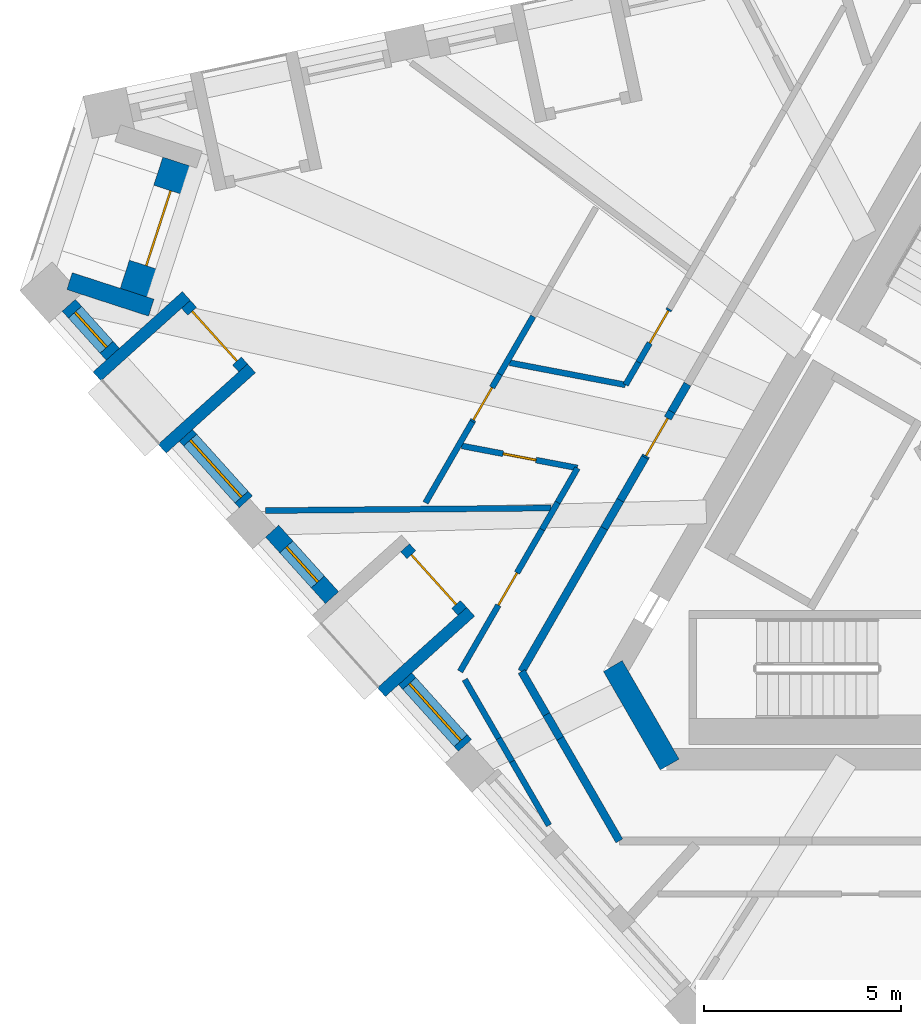
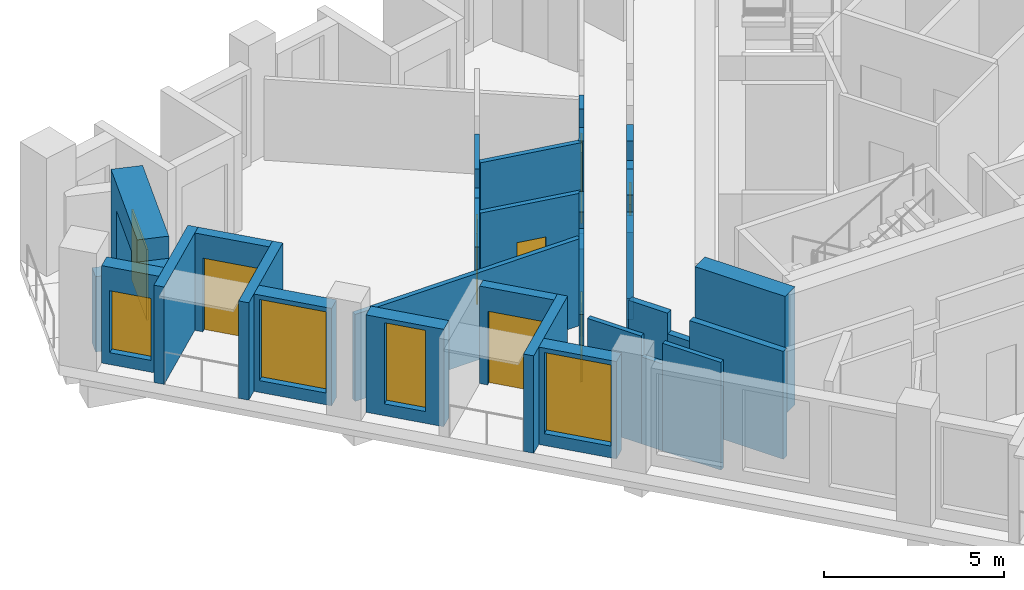
# One storey, part 3 of 13: 34 walls, 8 doors, 4 windows, 12 openings.
"""IFC4 building model written with IfcOpenShell, lengths in metres."""

from ifc_helpers import new_model, si_unit, direction, frame, frame_2d, origin, place, context, subcontext, project, spatial, polyline, rectangle, outline, extrude, material, layer, layer_set, type_object, element, fill, save


model = new_model("IFC4")

# Units and contexts
model_context = context("Model", 3, precision=1e-05, world=origin(), true_north=direction((0.0, 1.0)))
body_context = subcontext(model_context, "Body", "Model", "MODEL_VIEW")
ifc_project = project(units=[si_unit("LENGTHUNIT", "METRE"), si_unit("AREAUNIT", "SQUARE_METRE"), si_unit("VOLUMEUNIT", "CUBIC_METRE"), si_unit("PLANEANGLEUNIT", "RADIAN"), si_unit("MASSUNIT", "GRAM", prefix="KILO")], contexts=[model_context])

# Site, building, storey
site_placement = place(None, origin())
site = spatial("IfcSite", under=ifc_project, at=site_placement, CompositionType="ELEMENT")
building_placement = place(site_placement, origin())
building = spatial("IfcBuilding", under=site, at=building_placement, Name="Tramontana Tower", CompositionType="ELEMENT")
storey_placement = place(building_placement, frame((0.0, 0.0, 324.39990234375)))
storey = spatial("IfcBuildingStorey", under=building, at=storey_placement, Name="L74", CompositionType="ELEMENT", Elevation=324.39990234375)

# Walls
ifc_material_1 = material(Name="Concrete 70 MPa", Category="concrete")
ifc_layer_1 = layer(ifc_material_1, 0.550048828125)
ifc_layer_set_1 = layer_set([ifc_layer_1], Name="Core wall 550 70 MPa")
wall_type_1 = type_object("IfcWallType", Name="Core wall 550 70 MPa", PredefinedType="SHEAR", material=ifc_layer_set_1)
wall_1_placement = place(storey_placement, frame((-10.009765625, -4.112548828125, 0.0), z_axis=(0.0, 0.0, 1.0), x_axis=(0.499995765644, -0.866027848477, 0.0)))
element("IfcWall", 1, at=wall_1_placement, inside=storey, type_object=wall_type_1, Name="Core wall C2 L74", PredefinedType="SHEAR", context=body_context, shape_type="SweptSolid", body=[
    extrude(rectangle(XDim=2.88671875, YDim=0.550048828125, at=frame_2d((1.443359375, 0.0))), origin(), (0.0, 0.0, 1.0), 4.0),
])
ifc_material_2 = material(Name="Blockwork", Category="masonry")
ifc_layer_2 = layer(ifc_material_2, 0.199951171875)
ifc_layer_set_2 = layer_set([ifc_layer_2], Name="ENTRY WALL 200")
wall_type_2 = type_object("IfcWallType", Name="ENTRY WALL 200", PredefinedType="SOLIDWALL", material=ifc_layer_set_2)
wall_2_placement = place(storey_placement, frame((-9.84375, -8.550048828125, 0.0), z_axis=(0.0, 0.0, 1.0), x_axis=(-0.500003959331, 0.866023117852, 0.0)))
element("IfcWall", 2, at=wall_2_placement, inside=storey, type_object=wall_type_2, Name="Wall v80-ew2-0", PredefinedType="SOLIDWALL", context=body_context, shape_type="SweptSolid", body=[
    extrude(rectangle(XDim=3.0029296875, YDim=0.199951171875, at=frame_2d((1.50146484375, 0.0))), origin(), (0.0, 0.0, 1.0), 3.650146484375),
])
wall_3_placement = place(storey_placement, frame((-11.34521484375, -5.949462890625, 0.0), z_axis=(0.0, 0.0, 1.0), x_axis=(-0.499993523031, 0.866029143232, 0.0)))
element("IfcWall", 3, at=wall_3_placement, inside=storey, type_object=wall_type_2, Name="Wall v80-ew2-1", PredefinedType="SOLIDWALL", context=body_context, shape_type="SweptSolid", body=[
    extrude(rectangle(XDim=0.70166015625, YDim=0.199951171875, at=frame_2d((0.350830078125, 0.0))), origin(), (0.0, 0.0, 1.0), 2.9501953125),
])
wall_4_placement = place(storey_placement, frame((-11.696044921875, -5.341796875, 0.0), z_axis=(0.0, 0.0, 1.0), x_axis=(-0.500013012896, 0.866017890655, 0.0)))
element("IfcWall", 4, at=wall_4_placement, inside=storey, type_object=wall_type_2, Name="Wall v80-ew2-2", PredefinedType="SOLIDWALL", context=body_context, shape_type="SweptSolid", body=[
    extrude(rectangle(XDim=1.2607421875, YDim=0.199951171875, at=frame_2d((0.63037109375, 0.0))), origin(), (0.0, 0.0, 1.0), 3.650146484375),
])
wall_5_placement = place(storey_placement, frame((-12.326416015625, -4.25, 0.0), z_axis=(0.0, 0.0, 1.0), x_axis=(0.499982771656, 0.866035350345, 0.0)))
element("IfcWall", 5, at=wall_5_placement, inside=storey, type_object=wall_type_2, Name="Wall v80-ew3-0", PredefinedType="SOLIDWALL", context=body_context, shape_type="SweptSolid", body=[
    extrude(rectangle(XDim=4.194580078125, YDim=0.199951171875, at=frame_2d((2.09716796875, 0.0))), origin(), (0.0, 0.0, 1.0), 3.650146484375),
])
wall_6_placement = place(storey_placement, frame((-10.229248046875, -0.617431640625, 0.0), z_axis=(0.0, 0.0, 1.0), x_axis=(0.5001686003, 0.865928040471, 0.0)))
element("IfcWall", 6, at=wall_6_placement, inside=storey, type_object=wall_type_2, Name="Wall v80-ew3-1", PredefinedType="SOLIDWALL", context=body_context, shape_type="SweptSolid", body=[
    extrude(rectangle(XDim=0.821044921875, YDim=0.199951171875, at=frame_2d((0.41064453125, 0.0))), origin(), (0.0, 0.0, 1.0), 2.9501953125),
])
wall_7_placement = place(storey_placement, frame((-9.818603515625, 0.093505859375, 0.0), z_axis=(0.0, 0.0, 1.0), x_axis=(0.499969537666, 0.866042990507, 0.0)))
element("IfcWall", 7, at=wall_7_placement, inside=storey, type_object=wall_type_2, Name="Wall v80-ew3-2", PredefinedType="SOLIDWALL", context=body_context, shape_type="SweptSolid", body=[
    extrude(rectangle(XDim=1.25439453125, YDim=0.199951171875, at=frame_2d((0.627197265625, 0.0))), origin(), (0.0, 0.0, 1.0), 3.650146484375),
])

# Wall, opening, door
wall_8_placement = place(storey_placement, frame((-9.19140625, 1.179931640625, 0.0), z_axis=(0.0, 0.0, 1.0), x_axis=(0.500005339912, 0.866022320763, 0.0)))
wall_8 = element("IfcWall", 8, at=wall_8_placement, inside=storey, type_object=wall_type_2, Name="Wall v80-ew3-3", PredefinedType="SOLIDWALL", context=body_context, shape_type="SweptSolid", body=[
    extrude(outline(polyline([(0.0, 0.0), (1.3447265625, 0.0), (1.3447265625, 2.550048828125), (0.40087890625, 2.550048828125), (0.40087890625, 3.650146484375), (0.0, 3.650146484375), (0.0, 0.0)])), frame((0.0, 0.10009765625, 0.0), z_axis=(0.0, -1.0, 0.0), x_axis=(1.0, 0.0, 0.0)), (0.0, 0.0, 1.0), 0.199951171875),
])
opening_1_placement = place(wall_8_placement, frame((0.050048828125, 0.0, 0.0)))
opening_1 = element("IfcOpeningElement", 9, at=opening_1_placement, cuts=wall_8, Name="Opening B8A-19", PredefinedType="OPENING", context=body_context, shape_type="SweptSolid", body=[
    extrude(rectangle(XDim=1.10009765625, YDim=2.39990234375, at=frame_2d((0.550048828125, 1.199951171875))), frame((0.0, 0.10986328125, 0.0), z_axis=(0.0, -1.0, 0.0), x_axis=(1.0, 0.0, 0.0)), (0.0, 0.0, 1.0), 0.219970703125),
])
ifc_material_3 = material(Name="Painted timber", Category="wood")
door_type_1 = type_object("IfcDoorType", Name="DOOR ENTRY 1100", OperationType="SINGLE_SWING_LEFT", PredefinedType="DOOR", material=ifc_material_3)
door_1_placement = place(opening_1_placement, origin())
door_1 = element("IfcDoor", 10, at=door_1_placement, inside=storey, type_object=door_type_1, Name="Door B8A-19", OperationType="SINGLE_SWING_LEFT", OverallHeight=2.39990234375, OverallWidth=1.10009765625, PredefinedType="DOOR", context=body_context, shape_type="SweptSolid", body=[
    extrude(rectangle(XDim=1.10009765625, YDim=2.39990234375, at=frame_2d((0.550048828125, 1.199951171875))), frame((0.0, 0.02490234375, 0.0), z_axis=(0.0, -1.0, 0.0), x_axis=(1.0, 0.0, 0.0)), (0.0, 0.0, 1.0), 0.050048828125),
])
fill(opening_1, door_1)

# Wall
wall_9_placement = place(storey_placement, frame((-8.51904296875, 2.344482421875, 0.0), z_axis=(0.0, 0.0, 1.0), x_axis=(0.499914554297, 0.866074730264, 0.0)))
element("IfcWall", 11, at=wall_9_placement, inside=storey, type_object=wall_type_2, Name="Wall v80-ew3-4", PredefinedType="SOLIDWALL", context=body_context, shape_type="SweptSolid", body=[
    extrude(rectangle(XDim=0.806884765625, YDim=0.199951171875, at=frame_2d((0.4033203125, 0.0))), origin(), (0.0, 0.0, 1.0), 3.650146484375),
])

# Wall, opening, window
ifc_material_4 = material(Name="Precast concrete 60 MPa", Category="concrete")
ifc_layer_3 = layer(ifc_material_4, 0.449951171875)
ifc_layer_set_3 = layer_set([ifc_layer_3], Name="Precast concrete 60 MPa, 450 mm")
wall_type_3 = type_object("IfcWallType", Name="EW1 Stone-faced precast wall 450", PredefinedType="SOLIDWALL", material=ifc_layer_set_3)
wall_10_placement = place(storey_placement, frame((-23.817138671875, 5.043212890625, 0.0), z_axis=(0.0, 0.0, 1.0), x_axis=(0.669182609054, -0.743097998746, 0.0)))
wall_10 = element("IfcWall", 12, at=wall_10_placement, inside=storey, type_object=wall_type_3, Name="External wall L74 face 0 bay 1", PredefinedType="SOLIDWALL", context=body_context, shape_type="SweptSolid", body=[
    extrude(rectangle(XDim=1.67138671875, YDim=0.449951171875, at=frame_2d((0.835693359375, 0.0))), origin(), (0.0, 0.0, 1.0), 3.300048828125),
])
opening_2_placement = place(wall_10_placement, frame((0.235595703125, 0.0, 0.39990234375)))
opening_2 = element("IfcOpeningElement", 13, at=opening_2_placement, cuts=wall_10, Name="Opening N3L", PredefinedType="OPENING", context=body_context, shape_type="SweptSolid", body=[
    extrude(rectangle(XDim=1.199951171875, YDim=2.10009765625, at=frame_2d((0.60009765625, 1.050048828125))), frame((0.0, 0.23486328125, 0.0), z_axis=(0.0, -1.0, 0.0), x_axis=(1.0, 0.0, 0.0)), (0.0, 0.0, 1.0), 0.469970703125),
])
ifc_material_5 = material(Name="Aluminum frame, double glazing unit", Category="aluminium")
window_type_1 = type_object("IfcWindowType", Name="N3L Window 1.2 x 2.1", PartitioningType="SINGLE_PANEL", PredefinedType="WINDOW", material=ifc_material_5)
window_1_placement = place(opening_2_placement, origin())
window_1 = element("IfcWindow", 14, at=window_1_placement, inside=storey, type_object=window_type_1, Name="Window N3L L74 face 0 module 1", OverallHeight=2.10009765625, OverallWidth=1.199951171875, PartitioningType="SINGLE_PANEL", PredefinedType="WINDOW", context=body_context, shape_type="SweptSolid", body=[
    extrude(rectangle(XDim=1.199951171875, YDim=2.10009765625, at=frame_2d((0.60009765625, 1.050048828125))), frame((0.0, 0.030029296875, 0.0), z_axis=(0.0, -1.0, 0.0), x_axis=(1.0, 0.0, 0.0)), (0.0, 0.0, 1.0), 0.06005859375),
])
fill(opening_2, window_1)

wall_11_placement = place(storey_placement, frame((-20.844482421875, 1.74169921875, 0.0), z_axis=(0.0, 0.0, 1.0), x_axis=(0.669160694992, -0.743117732447, 0.0)))
wall_11 = element("IfcWall", 15, at=wall_11_placement, inside=storey, type_object=wall_type_3, Name="External wall L74 face 0 bay 1", PredefinedType="SOLIDWALL", context=body_context, shape_type="SweptSolid", body=[
    extrude(rectangle(XDim=2.271240234375, YDim=0.449951171875, at=frame_2d((1.1357421875, 0.0))), origin(), (0.0, 0.0, 1.0), 3.300048828125),
])
opening_3_placement = place(wall_11_placement, frame((0.16064453125, 0.0, 0.39990234375)))
opening_3 = element("IfcOpeningElement", 16, at=opening_3_placement, cuts=wall_11, Name="Opening M3", PredefinedType="OPENING", context=body_context, shape_type="SweptSolid", body=[
    extrude(rectangle(XDim=1.949951171875, YDim=2.75, at=frame_2d((0.97509765625, 1.375))), frame((0.0, 0.23486328125, 0.0), z_axis=(0.0, -1.0, 0.0), x_axis=(1.0, 0.0, 0.0)), (0.0, 0.0, 1.0), 0.469970703125),
])
ifc_material_6 = material(Name="Aluminum frame, double glazing unit", Category="aluminium")
window_type_2 = type_object("IfcWindowType", Name="M3 Window 1.95 x 2.75", PartitioningType="SINGLE_PANEL", PredefinedType="WINDOW", material=ifc_material_6)
window_2_placement = place(opening_3_placement, origin())
window_2 = element("IfcWindow", 17, at=window_2_placement, inside=storey, type_object=window_type_2, Name="Window M3 L74 face 0 module 3", OverallHeight=2.75, OverallWidth=1.949951171875, PartitioningType="SINGLE_PANEL", PredefinedType="WINDOW", context=body_context, shape_type="SweptSolid", body=[
    extrude(rectangle(XDim=1.949951171875, YDim=2.75, at=frame_2d((0.97509765625, 1.375))), frame((0.0, 0.030029296875, 0.0), z_axis=(0.0, -1.0, 0.0), x_axis=(1.0, 0.0, 0.0)), (0.0, 0.0, 1.0), 0.06005859375),
])
fill(opening_3, window_2)

wall_12_placement = place(storey_placement, frame((-18.655517578125, -0.689208984375, 0.0), z_axis=(0.0, 0.0, 1.0), x_axis=(0.669107243666, -0.743165860676, 0.0)))
wall_12 = element("IfcWall", 18, at=wall_12_placement, inside=storey, type_object=wall_type_3, Name="External wall L74 face 0 bay 2", PredefinedType="SOLIDWALL", context=body_context, shape_type="SweptSolid", body=[
    extrude(rectangle(XDim=2.271240234375, YDim=0.449951171875, at=frame_2d((1.1357421875, 0.0))), origin(), (0.0, 0.0, 1.0), 3.300048828125),
])
opening_4_placement = place(wall_12_placement, frame((0.53564453125, 0.0, 0.39990234375)))
opening_4 = element("IfcOpeningElement", 19, at=opening_4_placement, cuts=wall_12, Name="Opening N3", PredefinedType="OPENING", context=body_context, shape_type="SweptSolid", body=[
    extrude(rectangle(XDim=1.199951171875, YDim=2.75, at=frame_2d((0.60009765625, 1.375))), frame((0.0, 0.23486328125, 0.0), z_axis=(0.0, -1.0, 0.0), x_axis=(1.0, 0.0, 0.0)), (0.0, 0.0, 1.0), 0.469970703125),
])
ifc_material_7 = material(Name="Aluminum frame, double glazing unit", Category="aluminium")
window_type_3 = type_object("IfcWindowType", Name="N3 Window 1.2 x 2.75", PartitioningType="SINGLE_PANEL", PredefinedType="WINDOW", material=ifc_material_7)
window_3_placement = place(opening_4_placement, origin())
window_3 = element("IfcWindow", 20, at=window_3_placement, inside=storey, type_object=window_type_3, Name="Window N3 L74 face 0 module 4", OverallHeight=2.75, OverallWidth=1.199951171875, PartitioningType="SINGLE_PANEL", PredefinedType="WINDOW", context=body_context, shape_type="SweptSolid", body=[
    extrude(rectangle(XDim=1.199951171875, YDim=2.75, at=frame_2d((0.60009765625, 1.375))), frame((0.0, 0.030029296875, 0.0), z_axis=(0.0, -1.0, 0.0), x_axis=(1.0, 0.0, 0.0)), (0.0, 0.0, 1.0), 0.06005859375),
])
fill(opening_4, window_3)

wall_13_placement = place(storey_placement, frame((-15.281494140625, -4.4365234375, 0.0), z_axis=(0.0, 0.0, 1.0), x_axis=(0.669107243666, -0.743165860676, 0.0)))
wall_13 = element("IfcWall", 21, at=wall_13_placement, inside=storey, type_object=wall_type_3, Name="External wall L74 face 0 bay 2", PredefinedType="SOLIDWALL", context=body_context, shape_type="SweptSolid", body=[
    extrude(rectangle(XDim=2.271240234375, YDim=0.449951171875, at=frame_2d((1.1357421875, 0.0))), origin(), (0.0, 0.0, 1.0), 3.300048828125),
])
opening_5_placement = place(wall_13_placement, frame((0.16064453125, 0.0, 0.39990234375)))
opening_5 = element("IfcOpeningElement", 22, at=opening_5_placement, cuts=wall_13, Name="Opening M3", PredefinedType="OPENING", context=body_context, shape_type="SweptSolid", body=[
    extrude(rectangle(XDim=1.949951171875, YDim=2.75, at=frame_2d((0.97509765625, 1.375))), frame((0.0, 0.23486328125, 0.0), z_axis=(0.0, -1.0, 0.0), x_axis=(1.0, 0.0, 0.0)), (0.0, 0.0, 1.0), 0.469970703125),
])
window_4_placement = place(opening_5_placement, origin())
window_4 = element("IfcWindow", 23, at=window_4_placement, inside=storey, type_object=window_type_2, Name="Window M3 L74 face 0 module 6", OverallHeight=2.75, OverallWidth=1.949951171875, PartitioningType="SINGLE_PANEL", PredefinedType="WINDOW", context=body_context, shape_type="SweptSolid", body=[
    extrude(rectangle(XDim=1.949951171875, YDim=2.75, at=frame_2d((0.97509765625, 1.375))), frame((0.0, 0.030029296875, 0.0), z_axis=(0.0, -1.0, 0.0), x_axis=(1.0, 0.0, 0.0)), (0.0, 0.0, 1.0), 0.06005859375),
])
fill(opening_5, window_4)

# Wall
wall_14_placement = place(storey_placement, frame((-23.79638671875, 5.6552734375, 0.0), z_axis=(0.0, 0.0, 1.0), x_axis=(0.951064526973, -0.308992338955, 0.0)))
element("IfcWall", 24, at=wall_14_placement, inside=storey, type_object=wall_type_3, Name="Corner loggia side wall L74 K80l", PredefinedType="SOLIDWALL", context=body_context, shape_type="SweptSolid", body=[
    extrude(rectangle(XDim=2.17919921875, YDim=0.449951171875, at=frame_2d((1.089599609375, 0.0))), origin(), (0.0, 0.0, 1.0), 2.550048828125),
])

# Wall, opening, door
ifc_material_8 = material(Name="Precast concrete 60 MPa", Category="concrete")
ifc_layer_4 = layer(ifc_material_8, 0.89990234375)
ifc_layer_set_4 = layer_set([ifc_layer_4], Name="EW2 Stone-faced corner loggia wall 900")
wall_type_4 = type_object("IfcWallType", Name="EW2 Stone-faced corner loggia wall 900", PredefinedType="SOLIDWALL", material=ifc_layer_set_4)
wall_15_placement = place(storey_placement, frame((-22.082275390625, 5.3349609375, 0.0), z_axis=(0.0, 0.0, 1.0), x_axis=(0.309019824916, 0.951055596592, 0.0)))
wall_15 = element("IfcWall", 25, at=wall_15_placement, inside=storey, type_object=wall_type_4, Name="Corner loggia wall L74 K80", PredefinedType="SOLIDWALL", context=body_context, shape_type="SweptSolid", body=[
    extrude(rectangle(XDim=3.5, YDim=0.89990234375, at=frame_2d((1.75, 0.0))), origin(), (0.0, 0.0, 1.0), 3.300048828125),
])
opening_6_placement = place(wall_15_placement, frame((0.75, 0.0, 0.0)))
opening_6 = element("IfcOpeningElement", 26, at=opening_6_placement, cuts=wall_15, Name="Opening BD-80C", PredefinedType="OPENING", context=body_context, shape_type="SweptSolid", body=[
    extrude(rectangle(XDim=2.0, YDim=2.39990234375, at=frame_2d((1.0, 1.199951171875))), frame((0.0, 0.4599609375, 0.0), z_axis=(0.0, -1.0, 0.0), x_axis=(1.0, 0.0, 0.0)), (0.0, 0.0, 1.0), 0.919921875),
])
ifc_material_9 = material(Name="Aluminum frame, double glazing unit", Category="aluminium")
door_type_2 = type_object("IfcDoorType", Name="BC1 Sliding door 2 x 2.4", OperationType="SLIDING_TO_LEFT", PredefinedType="DOOR", material=ifc_material_9)
door_2_placement = place(opening_6_placement, origin())
door_2 = element("IfcDoor", 27, at=door_2_placement, inside=storey, type_object=door_type_2, Name="Corner loggia door L74 K80", OperationType="SLIDING_TO_LEFT", OverallHeight=2.39990234375, OverallWidth=2.0, PredefinedType="DOOR", context=body_context, shape_type="SweptSolid", body=[
    extrude(rectangle(XDim=2.0, YDim=2.39990234375, at=frame_2d((1.0, 1.199951171875))), frame((0.0, 0.02490234375, 0.0), z_axis=(0.0, -1.0, 0.0), x_axis=(1.0, 0.0, 0.0)), (0.0, 0.0, 1.0), 0.050048828125),
])
fill(opening_6, door_2)

ifc_material_10 = material(Name="Precast concrete 60 MPa", Category="concrete")
ifc_layer_5 = layer(ifc_material_10, 0.300048828125)
ifc_layer_set_5 = layer_set([ifc_layer_5], Name="LW1 Stone-faced loggia wall 300")
wall_type_5 = type_object("IfcWallType", Name="LW1 Stone-faced loggia wall 300", PredefinedType="SOLIDWALL", material=ifc_layer_set_5)
wall_16_placement = place(storey_placement, frame((-20.844482421875, 5.067138671875, 0.0), z_axis=(0.0, 0.0, 1.0), x_axis=(0.669144868344, -0.743131983681, 0.0)))
wall_16 = element("IfcWall", 28, at=wall_16_placement, inside=storey, type_object=wall_type_5, Name="Loggia wall L74 G8S0.1", PredefinedType="SOLIDWALL", context=body_context, shape_type="SweptSolid", body=[
    extrude(rectangle(XDim=2.171142578125, YDim=0.300048828125, at=frame_2d((1.08544921875, 0.0))), origin(), (0.0, 0.0, 1.0), 3.300048828125),
])
opening_7_placement = place(wall_16_placement, frame((0.235595703125, 0.0, 0.0)))
opening_7 = element("IfcOpeningElement", 29, at=opening_7_placement, cuts=wall_16, Name="Opening BD-8S0-01", PredefinedType="OPENING", context=body_context, shape_type="SweptSolid", body=[
    extrude(rectangle(XDim=1.699951171875, YDim=2.5, at=frame_2d((0.85009765625, 1.25))), frame((0.0, 0.159912109375, 0.0), z_axis=(0.0, -1.0, 0.0), x_axis=(1.0, 0.0, 0.0)), (0.0, 0.0, 1.0), 0.320068359375),
])
ifc_material_11 = material(Name="Aluminum frame, double glazing unit", Category="aluminium")
door_type_3 = type_object("IfcDoorType", Name="BD3 Sliding door 1.7 x 2.5", OperationType="SLIDING_TO_LEFT", PredefinedType="DOOR", material=ifc_material_11)
door_3_placement = place(opening_7_placement, origin())
door_3 = element("IfcDoor", 30, at=door_3_placement, inside=storey, type_object=door_type_3, Name="Loggia door L74 G8S0.1", OperationType="SLIDING_TO_LEFT", OverallHeight=2.5, OverallWidth=1.699951171875, PredefinedType="DOOR", context=body_context, shape_type="SweptSolid", body=[
    extrude(rectangle(XDim=1.699951171875, YDim=2.5, at=frame_2d((0.85009765625, 1.25))), frame((0.0, 0.02490234375, 0.0), z_axis=(0.0, -1.0, 0.0), x_axis=(1.0, 0.0, 0.0)), (0.0, 0.0, 1.0), 0.050048828125),
])
fill(opening_7, door_3)

# Walls
for number, where, z_axis, x_axis, name in (
    (31, (-23.10009765625, 3.238037109375, 0.0), (0.0, 0.0, 1.0), (0.743158802514, 0.669115082961, 0.0), "Loggia return L74 G8S0.1a"),
    (32, (-21.446533203125, 1.401611328125, 0.0), (0.0, 0.0, 1.0), (0.743158802514, 0.669115082961, 0.0), "Loggia return L74 G8S0.1b"),
):
    element("IfcWall", number, at=place(storey_placement, frame(where, z_axis=z_axis, x_axis=x_axis)), inside=storey, type_object=wall_type_5, Name=name, PredefinedType="SOLIDWALL", context=body_context, shape_type="SweptSolid", body=[
        extrude(rectangle(XDim=3.050048828125, YDim=0.300048828125, at=frame_2d((1.52490234375, 0.0))), origin(), (0.0, 0.0, 1.0), 3.300048828125),
    ])

# Wall, opening, door
wall_17_placement = place(storey_placement, frame((-15.281494140625, -1.111328125, 0.0), z_axis=(0.0, 0.0, 1.0), x_axis=(0.669144868344, -0.743131983681, 0.0)))
wall_17 = element("IfcWall", 33, at=wall_17_placement, inside=storey, type_object=wall_type_5, Name="Loggia wall L74 G8S0.4", PredefinedType="SOLIDWALL", context=body_context, shape_type="SweptSolid", body=[
    extrude(rectangle(XDim=2.171142578125, YDim=0.300048828125, at=frame_2d((1.08544921875, 0.0))), origin(), (0.0, 0.0, 1.0), 3.300048828125),
])
opening_8_placement = place(wall_17_placement, frame((0.235595703125, 0.0, 0.0)))
opening_8 = element("IfcOpeningElement", 34, at=opening_8_placement, cuts=wall_17, Name="Opening BD-8S0-04", PredefinedType="OPENING", context=body_context, shape_type="SweptSolid", body=[
    extrude(rectangle(XDim=1.699951171875, YDim=2.5, at=frame_2d((0.85009765625, 1.25))), frame((0.0, 0.159912109375, 0.0), z_axis=(0.0, -1.0, 0.0), x_axis=(1.0, 0.0, 0.0)), (0.0, 0.0, 1.0), 0.320068359375),
])
door_4_placement = place(opening_8_placement, origin())
door_4 = element("IfcDoor", 35, at=door_4_placement, inside=storey, type_object=door_type_3, Name="Loggia door L74 G8S0.4", OperationType="SLIDING_TO_LEFT", OverallHeight=2.5, OverallWidth=1.699951171875, PredefinedType="DOOR", context=body_context, shape_type="SweptSolid", body=[
    extrude(rectangle(XDim=1.699951171875, YDim=2.5, at=frame_2d((0.85009765625, 1.25))), frame((0.0, 0.02490234375, 0.0), z_axis=(0.0, -1.0, 0.0), x_axis=(1.0, 0.0, 0.0)), (0.0, 0.0, 1.0), 0.050048828125),
])
fill(opening_8, door_4)

# Walls
wall_18_placement = place(storey_placement, frame((-15.88330078125, -4.77685546875, 0.0), z_axis=(0.0, 0.0, 1.0), x_axis=(0.743122960955, 0.669154888573, 0.0)))
element("IfcWall", 36, at=wall_18_placement, inside=storey, type_object=wall_type_5, Name="Loggia return L74 G8S0.4b", PredefinedType="SOLIDWALL", context=body_context, shape_type="SweptSolid", body=[
    extrude(rectangle(XDim=3.0498046875, YDim=0.300048828125, at=frame_2d((1.52490234375, 0.0))), origin(), (0.0, 0.0, 1.0), 3.300048828125),
])
ifc_material_12 = material(Name="Gypsum board partition")
ifc_layer_6 = layer(ifc_material_12, 0.14990234375)
ifc_layer_set_6 = layer_set([ifc_layer_6], Name="PARTITION 150")
wall_type_6 = type_object("IfcWallType", Name="PARTITION 150", PredefinedType="PARTITIONING", material=ifc_layer_set_6)
wall_19_placement = place(storey_placement, frame((-14.76318359375, 0.029541015625, 0.0), z_axis=(0.0, 0.0, 1.0), x_axis=(0.500045118629, 0.865999352965, 0.0)))
element("IfcWall", 37, at=wall_19_placement, inside=storey, type_object=wall_type_6, Name="Wall v80-pw01-0", PredefinedType="PARTITIONING", context=body_context, shape_type="SweptSolid", body=[
    extrude(rectangle(XDim=2.379638671875, YDim=0.14990234375, at=frame_2d((1.18994140625, 0.0))), origin(), (0.0, 0.0, 1.0), 3.650146484375),
])

# Wall, opening, door
wall_20_placement = place(storey_placement, frame((-13.5732421875, 2.09033203125, 0.0), z_axis=(0.0, 0.0, 1.0), x_axis=(0.500026194733, 0.86601027972, 0.0)))
wall_20 = element("IfcWall", 38, at=wall_20_placement, inside=storey, type_object=wall_type_6, Name="Wall v80-pw01-1", PredefinedType="PARTITIONING", context=body_context, shape_type="SweptSolid", body=[
    extrude(outline(polyline([(0.0, 0.0), (1.3916015625, 0.0), (1.3916015625, 2.550048828125), (0.47412109375, 2.550048828125), (0.47412109375, 3.650146484375), (0.0, 3.650146484375), (0.0, 0.0)])), frame((0.0, 0.074951171875, 0.0), z_axis=(0.0, -1.0, 0.0), x_axis=(1.0, 0.0, 0.0)), (0.0, 0.0, 1.0), 0.14990234375),
])
opening_9_placement = place(wall_20_placement, frame((0.050048828125, 0.0, 0.0)))
opening_9 = element("IfcOpeningElement", 39, at=opening_9_placement, cuts=wall_20, Name="Opening B8A-03", PredefinedType="OPENING", context=body_context, shape_type="SweptSolid", body=[
    extrude(rectangle(XDim=0.949951171875, YDim=2.39990234375, at=frame_2d((0.47509765625, 1.199951171875))), frame((0.0, 0.0849609375, 0.0), z_axis=(0.0, -1.0, 0.0), x_axis=(1.0, 0.0, 0.0)), (0.0, 0.0, 1.0), 0.169921875),
])
ifc_material_13 = material(Name="Painted timber", Category="wood")
door_type_4 = type_object("IfcDoorType", Name="DOOR ROOM 950", OperationType="SINGLE_SWING_LEFT", PredefinedType="DOOR", material=ifc_material_13)
door_5_placement = place(opening_9_placement, origin())
door_5 = element("IfcDoor", 40, at=door_5_placement, inside=storey, type_object=door_type_4, Name="Door B8A-03", OperationType="SINGLE_SWING_LEFT", OverallHeight=2.39990234375, OverallWidth=0.949951171875, PredefinedType="DOOR", context=body_context, shape_type="SweptSolid", body=[
    extrude(rectangle(XDim=0.949951171875, YDim=2.39990234375, at=frame_2d((0.47509765625, 1.199951171875))), frame((0.0, 0.02490234375, 0.0), z_axis=(0.0, -1.0, 0.0), x_axis=(1.0, 0.0, 0.0)), (0.0, 0.0, 1.0), 0.050048828125),
])
fill(opening_9, door_5)

# Wall
wall_21_placement = place(storey_placement, frame((-12.87744140625, 3.29541015625, 0.0), z_axis=(0.0, 0.0, 1.0), x_axis=(0.499876388284, 0.86609675928, 0.0)))
element("IfcWall", 41, at=wall_21_placement, inside=storey, type_object=wall_type_6, Name="Wall v80-pw01-2", PredefinedType="PARTITIONING", context=body_context, shape_type="SweptSolid", body=[
    extrude(rectangle(XDim=1.693359375, YDim=0.14990234375, at=frame_2d((0.8466796875, 0.0))), origin(), (0.0, 0.0, 1.0), 3.650146484375),
])

# Wall, opening, door
wall_22_placement = place(storey_placement, frame((-13.88525390625, -4.25, 0.0), z_axis=(0.0, 0.0, 1.0), x_axis=(0.499988236992, 0.866032195053, 0.0)))
wall_22 = element("IfcWall", 42, at=wall_22_placement, inside=storey, type_object=wall_type_6, Name="Wall v80-pw02-0", PredefinedType="PARTITIONING", context=body_context, shape_type="SweptSolid", body=[
    extrude(rectangle(XDim=4.1611328125, YDim=0.14990234375, at=frame_2d((2.08056640625, 0.0))), origin(), (0.0, 0.0, 1.0), 3.650146484375),
])
opening_10_placement = place(wall_22_placement, frame((1.94140625, 0.0, 0.0)))
opening_10 = element("IfcOpeningElement", 43, at=opening_10_placement, cuts=wall_22, Name="Opening B8A-05", PredefinedType="OPENING", context=body_context, shape_type="SweptSolid", body=[
    extrude(rectangle(XDim=0.949951171875, YDim=2.39990234375, at=frame_2d((0.47509765625, 1.199951171875))), frame((0.0, 0.0849609375, 0.0), z_axis=(0.0, -1.0, 0.0), x_axis=(1.0, 0.0, 0.0)), (0.0, 0.0, 1.0), 0.169921875),
])
door_6_placement = place(opening_10_placement, origin())
door_6 = element("IfcDoor", 44, at=door_6_placement, inside=storey, type_object=door_type_4, Name="Door B8A-05", OperationType="SINGLE_SWING_LEFT", OverallHeight=2.39990234375, OverallWidth=0.949951171875, PredefinedType="DOOR", context=body_context, shape_type="SweptSolid", body=[
    extrude(rectangle(XDim=0.949951171875, YDim=2.39990234375, at=frame_2d((0.47509765625, 1.199951171875))), frame((0.0, 0.02490234375, 0.0), z_axis=(0.0, -1.0, 0.0), x_axis=(1.0, 0.0, 0.0)), (0.0, 0.0, 1.0), 0.050048828125),
])
fill(opening_10, door_6)

# Walls
wall_23_placement = place(storey_placement, frame((-11.8046875, -0.646240234375, 0.0), z_axis=(0.0, 0.0, 1.0), x_axis=(0.500185116612, 0.865918500276, 0.0)))
element("IfcWall", 45, at=wall_23_placement, inside=storey, type_object=wall_type_6, Name="Wall v80-pw02-1", PredefinedType="PARTITIONING", context=body_context, shape_type="SweptSolid", body=[
    extrude(rectangle(XDim=0.791748046875, YDim=0.14990234375, at=frame_2d((0.39599609375, 0.0))), origin(), (0.0, 0.0, 1.0), 2.9501953125),
])
wall_24_placement = place(storey_placement, frame((-11.40869140625, 0.039306640625, 0.0), z_axis=(0.0, 0.0, 1.0), x_axis=(0.49984860601, 0.866112793503, 0.0)))
element("IfcWall", 46, at=wall_24_placement, inside=storey, type_object=wall_type_6, Name="Wall v80-pw02-2", PredefinedType="PARTITIONING", context=body_context, shape_type="SweptSolid", body=[
    extrude(rectangle(XDim=1.005126953125, YDim=0.14990234375, at=frame_2d((0.50244140625, 0.0))), origin(), (0.0, 0.0, 1.0), 3.650146484375),
])
wall_25_placement = place(storey_placement, frame((-12.624267578125, 3.583984375, 0.0), z_axis=(0.0, 0.0, 1.0), x_axis=(0.982222548554, -0.187720177693, 0.0)))
element("IfcWall", 47, at=wall_25_placement, inside=storey, type_object=wall_type_6, Name="Wall v80-pw03", PredefinedType="PARTITIONING", context=body_context, shape_type="SweptSolid", body=[
    extrude(rectangle(XDim=2.98876953125, YDim=0.14990234375, at=frame_2d((1.494384765625, 0.0))), origin(), (0.0, 0.0, 1.0), 3.650146484375),
])
wall_26_placement = place(storey_placement, frame((-11.630859375, -8.154541015625, 0.0), z_axis=(0.0, 0.0, 1.0), x_axis=(-0.50011020776, 0.865961765954, 0.0)))
element("IfcWall", 48, at=wall_26_placement, inside=storey, type_object=wall_type_6, Name="Wall v80-pw04-0", PredefinedType="PARTITIONING", context=body_context, shape_type="SweptSolid", body=[
    extrude(rectangle(XDim=1.87109375, YDim=0.14990234375, at=frame_2d((0.935546875, 0.0))), origin(), (0.0, 0.0, 1.0), 3.650146484375),
])
wall_27_placement = place(storey_placement, frame((-12.566650390625, -6.5341796875, 0.0), z_axis=(0.0, 0.0, 1.0), x_axis=(-0.499826590014, 0.866125498941, 0.0)))
element("IfcWall", 49, at=wall_27_placement, inside=storey, type_object=wall_type_6, Name="Wall v80-pw04-1", PredefinedType="PARTITIONING", context=body_context, shape_type="SweptSolid", body=[
    extrude(rectangle(XDim=0.676513671875, YDim=0.14990234375, at=frame_2d((0.33837890625, 0.0))), origin(), (0.0, 0.0, 1.0), 2.9501953125),
])
wall_28_placement = place(storey_placement, frame((-12.90478515625, -5.9482421875, 0.0), z_axis=(0.0, 0.0, 1.0), x_axis=(-0.499992114976, 0.866029956157, 0.0)))
element("IfcWall", 50, at=wall_28_placement, inside=storey, type_object=wall_type_6, Name="Wall v80-pw04-2", PredefinedType="PARTITIONING", context=body_context, shape_type="SweptSolid", body=[
    extrude(rectangle(XDim=1.72412109375, YDim=0.14990234375, at=frame_2d((0.862060546875, 0.0))), origin(), (0.0, 0.0, 1.0), 3.650146484375),
])
wall_29_placement = place(storey_placement, frame((-11.577392578125, -0.102783203125, 0.0), z_axis=(0.0, 0.0, 1.0), x_axis=(-0.999960434916, -0.008895425913, 0.0)))
element("IfcWall", 51, at=wall_29_placement, inside=storey, type_object=wall_type_6, Name="Wall v80-pw06-0", PredefinedType="PARTITIONING", context=body_context, shape_type="SweptSolid", body=[
    extrude(rectangle(XDim=7.24560546875, YDim=0.14990234375, at=frame_2d((3.622802734375, 0.0))), origin(), (0.0, 0.0, 1.0), 2.9501953125),
])

# Wall, opening, door
wall_30_placement = place(storey_placement, frame((-10.908203125, 0.914306640625, 0.0), z_axis=(0.0, 0.0, 1.0), x_axis=(-0.982214575518, 0.187761890809, 0.0)))
wall_30 = element("IfcWall", 52, at=wall_30_placement, inside=storey, type_object=wall_type_6, Name="Wall v80-pw07", PredefinedType="PARTITIONING", context=body_context, shape_type="SweptSolid", body=[
    extrude(rectangle(XDim=2.98681640625, YDim=0.14990234375, at=frame_2d((1.493408203125, 0.0))), origin(), (0.0, 0.0, 1.0), 3.650146484375),
])
opening_11_placement = place(wall_30_placement, frame((1.068359375, 0.0, 0.0)))
opening_11 = element("IfcOpeningElement", 53, at=opening_11_placement, cuts=wall_30, Name="Opening B8A-02", PredefinedType="OPENING", context=body_context, shape_type="SweptSolid", body=[
    extrude(rectangle(XDim=0.85009765625, YDim=2.39990234375, at=frame_2d((0.425048828125, 1.199951171875))), frame((0.0, 0.0849609375, 0.0), z_axis=(0.0, -1.0, 0.0), x_axis=(1.0, 0.0, 0.0)), (0.0, 0.0, 1.0), 0.169921875),
])
ifc_material_14 = material(Name="Painted timber", Category="wood")
door_type_5 = type_object("IfcDoorType", Name="DOOR BATH 850", OperationType="SINGLE_SWING_LEFT", PredefinedType="DOOR", material=ifc_material_14)
door_7_placement = place(opening_11_placement, origin())
door_7 = element("IfcDoor", 54, at=door_7_placement, inside=storey, type_object=door_type_5, Name="Door B8A-02", OperationType="SINGLE_SWING_RIGHT", OverallHeight=2.39990234375, OverallWidth=0.85009765625, PredefinedType="DOOR", context=body_context, shape_type="SweptSolid", body=[
    extrude(rectangle(XDim=0.85009765625, YDim=2.39990234375, at=frame_2d((0.425048828125, 1.199951171875))), frame((0.0, 0.02490234375, 0.0), z_axis=(0.0, -1.0, 0.0), x_axis=(1.0, 0.0, 0.0)), (0.0, 0.0, 1.0), 0.050048828125),
])
fill(opening_11, door_7)

# Wall
wall_31_placement = place(storey_placement, frame((-9.685546875, 3.0244140625, 0.0), z_axis=(0.0, 0.0, 1.0), x_axis=(0.500191429871, 0.865914853484, 0.0)))
element("IfcWall", 55, at=wall_31_placement, inside=storey, type_object=wall_type_6, Name="Wall v80-pw08-0", PredefinedType="PARTITIONING", context=body_context, shape_type="SweptSolid", body=[
    extrude(rectangle(XDim=0.660888671875, YDim=0.14990234375, at=frame_2d((0.33056640625, 0.0))), origin(), (0.0, 0.0, 1.0), 3.650146484375),
])

# Wall, opening, door
wall_32_placement = place(storey_placement, frame((-9.35498046875, 3.5966796875, 0.0), z_axis=(0.0, 0.0, 1.0), x_axis=(0.499988530825, 0.866032025414, 0.0)))
wall_32 = element("IfcWall", 56, at=wall_32_placement, inside=storey, type_object=wall_type_6, Name="Wall v80-pw08-1", PredefinedType="PARTITIONING", context=body_context, shape_type="SweptSolid", body=[
    extrude(outline(polyline([(0.0, 0.0), (1.56201171875, 0.0), (1.562255859375, 3.650146484375), (0.880615234375, 3.650146484375), (0.880615234375, 2.550048828125), (0.0, 2.550048828125), (0.0, 0.0)])), frame((0.0, 0.074951171875, 0.0), z_axis=(0.0, -1.0, 0.0), x_axis=(1.0, 0.0, 0.0)), (0.0, 0.0, 1.0), 0.14990234375),
])
opening_12_placement = place(wall_32_placement, frame((0.562255859375, 0.0, 0.0)))
opening_12 = element("IfcOpeningElement", 57, at=opening_12_placement, cuts=wall_32, Name="Opening B8A-01", PredefinedType="OPENING", context=body_context, shape_type="SweptSolid", body=[
    extrude(rectangle(XDim=0.949951171875, YDim=2.39990234375, at=frame_2d((0.47509765625, 1.199951171875))), frame((0.0, 0.0849609375, 0.0), z_axis=(0.0, -1.0, 0.0), x_axis=(1.0, 0.0, 0.0)), (0.0, 0.0, 1.0), 0.169921875),
])
door_8_placement = place(opening_12_placement, origin())
door_8 = element("IfcDoor", 58, at=door_8_placement, inside=storey, type_object=door_type_4, Name="Door B8A-01", OperationType="SINGLE_SWING_LEFT", OverallHeight=2.39990234375, OverallWidth=0.949951171875, PredefinedType="DOOR", context=body_context, shape_type="SweptSolid", body=[
    extrude(rectangle(XDim=0.949951171875, YDim=2.39990234375, at=frame_2d((0.47509765625, 1.199951171875))), frame((0.0, 0.02490234375, 0.0), z_axis=(0.0, -1.0, 0.0), x_axis=(1.0, 0.0, 0.0)), (0.0, 0.0, 1.0), 0.050048828125),
])
fill(opening_12, door_8)

save(model, "model.ifc")
